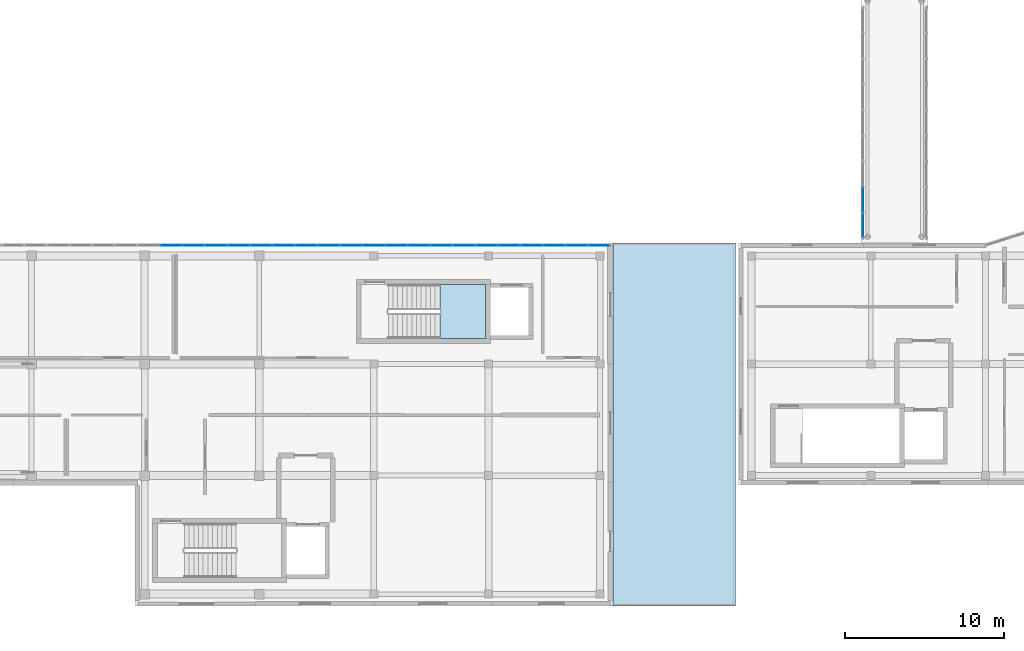
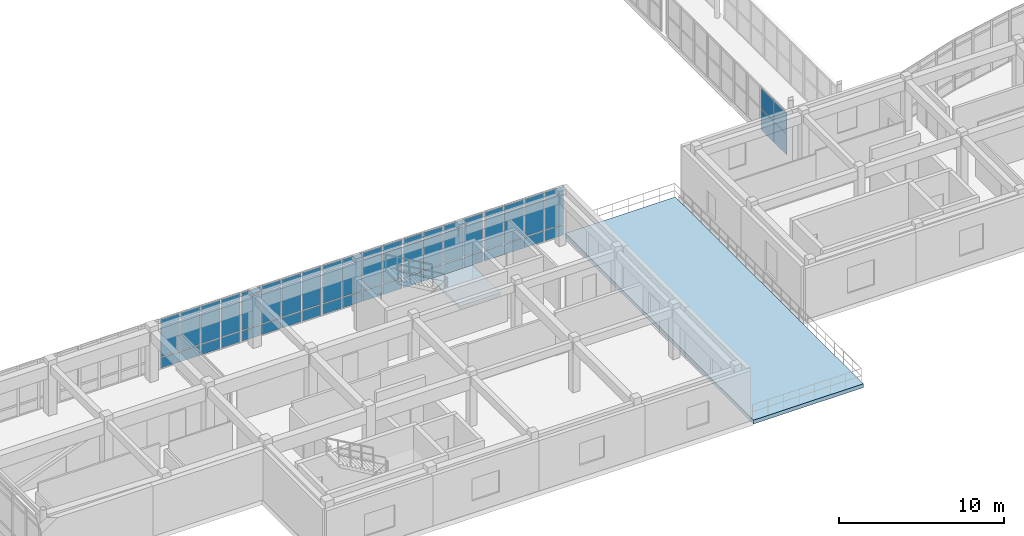
# One storey, part 36 of 52: 64 plates, 2 slabs, 7 elements without a shape of their own.
"""IFC4 building model written with IfcOpenShell, lengths in metres."""

from ifc_helpers import new_model, si_unit, direction, frame, origin, origin_2d, place, context, subcontext, project, spatial, polyline, rectangle, outline, extrude, material, layer, layer_set, type_object, element, aggregate, save


model = new_model("IFC4")

# Units and contexts
model_context = context("Model", 3, precision=1e-05, world=origin(), true_north=direction((0.0, 1.0)))
body_context = subcontext(model_context, "Body", "Model", "MODEL_VIEW")
ifc_project = project(units=[si_unit("LENGTHUNIT", "METRE"), si_unit("AREAUNIT", "SQUARE_METRE"), si_unit("VOLUMEUNIT", "CUBIC_METRE"), si_unit("PLANEANGLEUNIT", "RADIAN"), si_unit("MASSUNIT", "GRAM", prefix="KILO")], contexts=[model_context])

# Site, building, storey
site_placement = place(None, origin())
site = spatial("IfcSite", under=ifc_project, at=site_placement, CompositionType="ELEMENT")
building_placement = place(site_placement, origin())
building = spatial("IfcBuilding", under=site, at=building_placement, Name="Valcora Specialist Clinic", CompositionType="ELEMENT")
storey_placement = place(building_placement, frame((0.0, 0.0, 17.679931640625)))
storey = spatial("IfcBuildingStorey", under=building, at=storey_placement, Name="L04", CompositionType="ELEMENT", Elevation=17.679931640625)

# Curtain wall, plates
ifc_material_1 = material(Name="Anodized Bronze Aluminium 6063-T6", Category="aluminium")
ifc_layer_1 = layer(ifc_material_1, 0.175048828125)
ifc_layer_set_1 = layer_set([ifc_layer_1], Name="Anodized Bronze Aluminium 6063-T6")
curtain_wall_type_1 = type_object("IfcCurtainWallType", Name="TY-CW-V5F15", PredefinedType="NOTDEFINED", material=ifc_layer_set_1)
curtain_wall_1_placement = place(storey_placement, origin())
curtain_wall_1 = element("IfcCurtainWall", 1, at=curtain_wall_1_placement, inside=storey, type_object=curtain_wall_type_1, Name="Curtain wall CW-L04-170", PredefinedType="NOTDEFINED")
ifc_material_2 = material(Name="Low-E Laminated Insulating Glass", Category="glass")
ifc_layer_2 = layer(ifc_material_2, 0.028076171875)
ifc_layer_set_2 = layer_set([ifc_layer_2], Name="Low-E Laminated Insulating Glass")
plate_type_1 = type_object("IfcPlateType", Name="TY-CWP-GLZ28", PredefinedType="CURTAIN_PANEL", material=ifc_layer_set_2)
plate_1_placement = place(storey_placement, frame((17.861572265625, 22.64990234375, 0.882568359375), z_axis=(0.0, 0.0, 1.0), x_axis=(1.0, 0.0, 0.0)))
plate_1 = element("IfcPlate", 2, at=plate_1_placement, type_object=plate_type_1, Name="CW-V5F-15 panel 1.2", PredefinedType="CURTAIN_PANEL", context=body_context, shape_type="SweptSolid", body=[
    extrude(rectangle(XDim=1.318115234375, YDim=0.028076171875, at=origin_2d()), origin(), (0.0, 0.0, 1.0), 2.2548828125),
])
plate_2_placement = place(storey_placement, frame((17.861572265625, 22.64990234375, 3.20263671875), z_axis=(0.0, 0.0, 1.0), x_axis=(1.0, 0.0, 0.0)))
plate_2 = element("IfcPlate", 3, at=plate_2_placement, type_object=plate_type_1, Name="CW-V5F-15 panel 1.3", PredefinedType="CURTAIN_PANEL", context=body_context, shape_type="SweptSolid", body=[
    extrude(rectangle(XDim=1.318115234375, YDim=0.028076171875, at=origin_2d()), origin(), (0.0, 0.0, 1.0), 0.452392578125),
])
plate_3_placement = place(storey_placement, frame((19.260986328125, 22.64990234375, 0.882568359375), z_axis=(0.0, 0.0, 1.0), x_axis=(1.0, 0.0, 0.0)))
plate_3 = element("IfcPlate", 4, at=plate_3_placement, type_object=plate_type_1, Name="CW-V5F-15 panel 2.2", PredefinedType="CURTAIN_PANEL", context=body_context, shape_type="SweptSolid", body=[
    extrude(rectangle(XDim=1.3505859375, YDim=0.028076171875, at=origin_2d()), origin(), (0.0, 0.0, 1.0), 2.2548828125),
])
plate_4_placement = place(storey_placement, frame((19.260986328125, 22.64990234375, 3.20263671875), z_axis=(0.0, 0.0, 1.0), x_axis=(1.0, 0.0, 0.0)))
plate_4 = element("IfcPlate", 5, at=plate_4_placement, type_object=plate_type_1, Name="CW-V5F-15 panel 2.3", PredefinedType="CURTAIN_PANEL", context=body_context, shape_type="SweptSolid", body=[
    extrude(rectangle(XDim=1.3505859375, YDim=0.028076171875, at=origin_2d()), origin(), (0.0, 0.0, 1.0), 0.452392578125),
])
plate_5_placement = place(storey_placement, frame((20.676513671875, 22.64990234375, 0.882568359375), z_axis=(0.0, 0.0, 1.0), x_axis=(1.0, 0.0, 0.0)))
plate_5 = element("IfcPlate", 6, at=plate_5_placement, type_object=plate_type_1, Name="CW-V5F-15 panel 3.2", PredefinedType="CURTAIN_PANEL", context=body_context, shape_type="SweptSolid", body=[
    extrude(rectangle(XDim=1.3505859375, YDim=0.028076171875, at=origin_2d()), origin(), (0.0, 0.0, 1.0), 2.2548828125),
])
plate_6_placement = place(storey_placement, frame((20.676513671875, 22.64990234375, 3.20263671875), z_axis=(0.0, 0.0, 1.0), x_axis=(1.0, 0.0, 0.0)))
plate_6 = element("IfcPlate", 7, at=plate_6_placement, type_object=plate_type_1, Name="CW-V5F-15 panel 3.3", PredefinedType="CURTAIN_PANEL", context=body_context, shape_type="SweptSolid", body=[
    extrude(rectangle(XDim=1.3505859375, YDim=0.028076171875, at=origin_2d()), origin(), (0.0, 0.0, 1.0), 0.452392578125),
])
plate_7_placement = place(storey_placement, frame((22.075927734375, 22.64990234375, 0.882568359375), z_axis=(0.0, 0.0, 1.0), x_axis=(1.0, 0.0, 0.0)))
plate_7 = element("IfcPlate", 8, at=plate_7_placement, type_object=plate_type_1, Name="CW-V5F-15 panel 4.2", PredefinedType="CURTAIN_PANEL", context=body_context, shape_type="SweptSolid", body=[
    extrude(rectangle(XDim=1.318115234375, YDim=0.028076171875, at=origin_2d()), origin(), (0.0, 0.0, 1.0), 2.2548828125),
])
plate_8_placement = place(storey_placement, frame((22.075927734375, 22.64990234375, 3.20263671875), z_axis=(0.0, 0.0, 1.0), x_axis=(1.0, 0.0, 0.0)))
plate_8 = element("IfcPlate", 9, at=plate_8_placement, type_object=plate_type_1, Name="CW-V5F-15 panel 4.3", PredefinedType="CURTAIN_PANEL", context=body_context, shape_type="SweptSolid", body=[
    extrude(rectangle(XDim=1.318115234375, YDim=0.028076171875, at=origin_2d()), origin(), (0.0, 0.0, 1.0), 0.452392578125),
])

curtain_wall_2_placement = place(storey_placement, origin())
curtain_wall_2 = element("IfcCurtainWall", 10, at=curtain_wall_2_placement, inside=storey, type_object=curtain_wall_type_1, Name="Curtain wall CW-L04-172", PredefinedType="NOTDEFINED")
plate_9_placement = place(storey_placement, frame((29.1865234375, 22.64990234375, 0.882568359375), z_axis=(0.0, 0.0, 1.0), x_axis=(1.0, 0.0, 0.0)))
plate_9 = element("IfcPlate", 11, at=plate_9_placement, type_object=plate_type_1, Name="CW-V5F-15 panel 1.2", PredefinedType="CURTAIN_PANEL", context=body_context, shape_type="SweptSolid", body=[
    extrude(rectangle(XDim=1.318115234375, YDim=0.028076171875, at=origin_2d()), origin(), (0.0, 0.0, 1.0), 2.2548828125),
])
plate_10_placement = place(storey_placement, frame((29.1865234375, 22.64990234375, 3.20263671875), z_axis=(0.0, 0.0, 1.0), x_axis=(1.0, 0.0, 0.0)))
plate_10 = element("IfcPlate", 12, at=plate_10_placement, type_object=plate_type_1, Name="CW-V5F-15 panel 1.3", PredefinedType="CURTAIN_PANEL", context=body_context, shape_type="SweptSolid", body=[
    extrude(rectangle(XDim=1.318115234375, YDim=0.028076171875, at=origin_2d()), origin(), (0.0, 0.0, 1.0), 0.452392578125),
])
plate_11_placement = place(storey_placement, frame((30.5859375, 22.64990234375, 0.882568359375), z_axis=(0.0, 0.0, 1.0), x_axis=(1.0, 0.0, 0.0)))
plate_11 = element("IfcPlate", 13, at=plate_11_placement, type_object=plate_type_1, Name="CW-V5F-15 panel 2.2", PredefinedType="CURTAIN_PANEL", context=body_context, shape_type="SweptSolid", body=[
    extrude(rectangle(XDim=1.3505859375, YDim=0.028076171875, at=origin_2d()), origin(), (0.0, 0.0, 1.0), 2.2548828125),
])
plate_12_placement = place(storey_placement, frame((30.5859375, 22.64990234375, 3.20263671875), z_axis=(0.0, 0.0, 1.0), x_axis=(1.0, 0.0, 0.0)))
plate_12 = element("IfcPlate", 14, at=plate_12_placement, type_object=plate_type_1, Name="CW-V5F-15 panel 2.3", PredefinedType="CURTAIN_PANEL", context=body_context, shape_type="SweptSolid", body=[
    extrude(rectangle(XDim=1.3505859375, YDim=0.028076171875, at=origin_2d()), origin(), (0.0, 0.0, 1.0), 0.452392578125),
])
plate_13_placement = place(storey_placement, frame((32.00146484375, 22.64990234375, 0.882568359375), z_axis=(0.0, 0.0, 1.0), x_axis=(1.0, 0.0, 0.0)))
plate_13 = element("IfcPlate", 15, at=plate_13_placement, type_object=plate_type_1, Name="CW-V5F-15 panel 3.2", PredefinedType="CURTAIN_PANEL", context=body_context, shape_type="SweptSolid", body=[
    extrude(rectangle(XDim=1.3505859375, YDim=0.028076171875, at=origin_2d()), origin(), (0.0, 0.0, 1.0), 2.2548828125),
])
plate_14_placement = place(storey_placement, frame((32.00146484375, 22.64990234375, 3.20263671875), z_axis=(0.0, 0.0, 1.0), x_axis=(1.0, 0.0, 0.0)))
plate_14 = element("IfcPlate", 16, at=plate_14_placement, type_object=plate_type_1, Name="CW-V5F-15 panel 3.3", PredefinedType="CURTAIN_PANEL", context=body_context, shape_type="SweptSolid", body=[
    extrude(rectangle(XDim=1.3505859375, YDim=0.028076171875, at=origin_2d()), origin(), (0.0, 0.0, 1.0), 0.452392578125),
])
plate_15_placement = place(storey_placement, frame((33.40087890625, 22.64990234375, 0.882568359375), z_axis=(0.0, 0.0, 1.0), x_axis=(1.0, 0.0, 0.0)))
plate_15 = element("IfcPlate", 17, at=plate_15_placement, type_object=plate_type_1, Name="CW-V5F-15 panel 4.2", PredefinedType="CURTAIN_PANEL", context=body_context, shape_type="SweptSolid", body=[
    extrude(rectangle(XDim=1.318115234375, YDim=0.028076171875, at=origin_2d()), origin(), (0.0, 0.0, 1.0), 2.2548828125),
])
plate_16_placement = place(storey_placement, frame((33.40087890625, 22.64990234375, 3.20263671875), z_axis=(0.0, 0.0, 1.0), x_axis=(1.0, 0.0, 0.0)))
plate_16 = element("IfcPlate", 18, at=plate_16_placement, type_object=plate_type_1, Name="CW-V5F-15 panel 4.3", PredefinedType="CURTAIN_PANEL", context=body_context, shape_type="SweptSolid", body=[
    extrude(rectangle(XDim=1.318115234375, YDim=0.028076171875, at=origin_2d()), origin(), (0.0, 0.0, 1.0), 0.452392578125),
])

curtain_wall_3_placement = place(storey_placement, origin())
curtain_wall_3 = element("IfcCurtainWall", 19, at=curtain_wall_3_placement, inside=storey, type_object=curtain_wall_type_1, Name="Curtain wall CW-L04-174", PredefinedType="NOTDEFINED")
plate_17_placement = place(storey_placement, frame((40.511474609375, 22.64990234375, 0.882568359375), z_axis=(0.0, 0.0, 1.0), x_axis=(1.0, 0.0, 0.0)))
plate_17 = element("IfcPlate", 20, at=plate_17_placement, type_object=plate_type_1, Name="CW-V5F-15 panel 1.2", PredefinedType="CURTAIN_PANEL", context=body_context, shape_type="SweptSolid", body=[
    extrude(rectangle(XDim=1.318115234375, YDim=0.028076171875, at=origin_2d()), origin(), (0.0, 0.0, 1.0), 2.2548828125),
])
plate_18_placement = place(storey_placement, frame((40.511474609375, 22.64990234375, 3.20263671875), z_axis=(0.0, 0.0, 1.0), x_axis=(1.0, 0.0, 0.0)))
plate_18 = element("IfcPlate", 21, at=plate_18_placement, type_object=plate_type_1, Name="CW-V5F-15 panel 1.3", PredefinedType="CURTAIN_PANEL", context=body_context, shape_type="SweptSolid", body=[
    extrude(rectangle(XDim=1.318115234375, YDim=0.028076171875, at=origin_2d()), origin(), (0.0, 0.0, 1.0), 0.452392578125),
])
plate_19_placement = place(storey_placement, frame((41.910888671875, 22.64990234375, 0.882568359375), z_axis=(0.0, 0.0, 1.0), x_axis=(1.0, 0.0, 0.0)))
plate_19 = element("IfcPlate", 22, at=plate_19_placement, type_object=plate_type_1, Name="CW-V5F-15 panel 2.2", PredefinedType="CURTAIN_PANEL", context=body_context, shape_type="SweptSolid", body=[
    extrude(rectangle(XDim=1.3505859375, YDim=0.028076171875, at=origin_2d()), origin(), (0.0, 0.0, 1.0), 2.2548828125),
])
plate_20_placement = place(storey_placement, frame((41.910888671875, 22.64990234375, 3.20263671875), z_axis=(0.0, 0.0, 1.0), x_axis=(1.0, 0.0, 0.0)))
plate_20 = element("IfcPlate", 23, at=plate_20_placement, type_object=plate_type_1, Name="CW-V5F-15 panel 2.3", PredefinedType="CURTAIN_PANEL", context=body_context, shape_type="SweptSolid", body=[
    extrude(rectangle(XDim=1.3505859375, YDim=0.028076171875, at=origin_2d()), origin(), (0.0, 0.0, 1.0), 0.452392578125),
])
plate_21_placement = place(storey_placement, frame((43.32666015625, 22.64990234375, 0.882568359375), z_axis=(0.0, 0.0, 1.0), x_axis=(1.0, 0.0, 0.0)))
plate_21 = element("IfcPlate", 24, at=plate_21_placement, type_object=plate_type_1, Name="CW-V5F-15 panel 3.2", PredefinedType="CURTAIN_PANEL", context=body_context, shape_type="SweptSolid", body=[
    extrude(rectangle(XDim=1.3505859375, YDim=0.028076171875, at=origin_2d()), origin(), (0.0, 0.0, 1.0), 2.2548828125),
])
plate_22_placement = place(storey_placement, frame((43.32666015625, 22.64990234375, 3.20263671875), z_axis=(0.0, 0.0, 1.0), x_axis=(1.0, 0.0, 0.0)))
plate_22 = element("IfcPlate", 25, at=plate_22_placement, type_object=plate_type_1, Name="CW-V5F-15 panel 3.3", PredefinedType="CURTAIN_PANEL", context=body_context, shape_type="SweptSolid", body=[
    extrude(rectangle(XDim=1.3505859375, YDim=0.028076171875, at=origin_2d()), origin(), (0.0, 0.0, 1.0), 0.452392578125),
])
plate_23_placement = place(storey_placement, frame((44.725830078125, 22.64990234375, 0.882568359375), z_axis=(0.0, 0.0, 1.0), x_axis=(1.0, 0.0, 0.0)))
plate_23 = element("IfcPlate", 26, at=plate_23_placement, type_object=plate_type_1, Name="CW-V5F-15 panel 4.2", PredefinedType="CURTAIN_PANEL", context=body_context, shape_type="SweptSolid", body=[
    extrude(rectangle(XDim=1.318115234375, YDim=0.028076171875, at=origin_2d()), origin(), (0.0, 0.0, 1.0), 2.2548828125),
])
plate_24_placement = place(storey_placement, frame((44.725830078125, 22.64990234375, 3.20263671875), z_axis=(0.0, 0.0, 1.0), x_axis=(1.0, 0.0, 0.0)))
plate_24 = element("IfcPlate", 27, at=plate_24_placement, type_object=plate_type_1, Name="CW-V5F-15 panel 4.3", PredefinedType="CURTAIN_PANEL", context=body_context, shape_type="SweptSolid", body=[
    extrude(rectangle(XDim=1.318115234375, YDim=0.028076171875, at=origin_2d()), origin(), (0.0, 0.0, 1.0), 0.452392578125),
])

curtain_wall_4_placement = place(storey_placement, origin())
curtain_wall_4 = element("IfcCurtainWall", 28, at=curtain_wall_4_placement, inside=storey, type_object=curtain_wall_type_1, Name="Curtain wall CW-L04-171", PredefinedType="NOTDEFINED")
ifc_layer_3 = layer(ifc_material_2, 0.033935546875)
ifc_layer_set_3 = layer_set([ifc_layer_3], Name="Low-E Laminated Insulating Glass")
plate_type_2 = type_object("IfcPlateType", Name="TY-CWP-GLZ34", PredefinedType="CURTAIN_PANEL", material=ifc_layer_set_3)
plate_25_placement = place(storey_placement, frame((23.524169921875, 22.64990234375, 0.882568359375), z_axis=(0.0, 0.0, 1.0), x_axis=(1.0, 0.0, 0.0)))
plate_25 = element("IfcPlate", 29, at=plate_25_placement, type_object=plate_type_2, Name="CW-V5F-15 panel 1.2", PredefinedType="CURTAIN_PANEL", context=body_context, shape_type="SweptSolid", body=[
    extrude(rectangle(XDim=1.318115234375, YDim=0.033935546875, at=origin_2d()), origin(), (0.0, 0.0, 1.0), 2.2548828125),
])
plate_26_placement = place(storey_placement, frame((23.524169921875, 22.64990234375, 3.20263671875), z_axis=(0.0, 0.0, 1.0), x_axis=(1.0, 0.0, 0.0)))
plate_26 = element("IfcPlate", 30, at=plate_26_placement, type_object=plate_type_2, Name="CW-V5F-15 panel 1.3", PredefinedType="CURTAIN_PANEL", context=body_context, shape_type="SweptSolid", body=[
    extrude(rectangle(XDim=1.318115234375, YDim=0.033935546875, at=origin_2d()), origin(), (0.0, 0.0, 1.0), 0.452392578125),
])
plate_27_placement = place(storey_placement, frame((24.92333984375, 22.64990234375, 0.882568359375), z_axis=(0.0, 0.0, 1.0), x_axis=(1.0, 0.0, 0.0)))
plate_27 = element("IfcPlate", 31, at=plate_27_placement, type_object=plate_type_2, Name="CW-V5F-15 panel 2.2", PredefinedType="CURTAIN_PANEL", context=body_context, shape_type="SweptSolid", body=[
    extrude(rectangle(XDim=1.3505859375, YDim=0.033935546875, at=origin_2d()), origin(), (0.0, 0.0, 1.0), 2.2548828125),
])
plate_28_placement = place(storey_placement, frame((24.92333984375, 22.64990234375, 3.20263671875), z_axis=(0.0, 0.0, 1.0), x_axis=(1.0, 0.0, 0.0)))
plate_28 = element("IfcPlate", 32, at=plate_28_placement, type_object=plate_type_2, Name="CW-V5F-15 panel 2.3", PredefinedType="CURTAIN_PANEL", context=body_context, shape_type="SweptSolid", body=[
    extrude(rectangle(XDim=1.3505859375, YDim=0.033935546875, at=origin_2d()), origin(), (0.0, 0.0, 1.0), 0.452392578125),
])
plate_29_placement = place(storey_placement, frame((26.339111328125, 22.64990234375, 0.882568359375), z_axis=(0.0, 0.0, 1.0), x_axis=(1.0, 0.0, 0.0)))
plate_29 = element("IfcPlate", 33, at=plate_29_placement, type_object=plate_type_2, Name="CW-V5F-15 panel 3.2", PredefinedType="CURTAIN_PANEL", context=body_context, shape_type="SweptSolid", body=[
    extrude(rectangle(XDim=1.3505859375, YDim=0.033935546875, at=origin_2d()), origin(), (0.0, 0.0, 1.0), 2.2548828125),
])
plate_30_placement = place(storey_placement, frame((26.339111328125, 22.64990234375, 3.20263671875), z_axis=(0.0, 0.0, 1.0), x_axis=(1.0, 0.0, 0.0)))
plate_30 = element("IfcPlate", 34, at=plate_30_placement, type_object=plate_type_2, Name="CW-V5F-15 panel 3.3", PredefinedType="CURTAIN_PANEL", context=body_context, shape_type="SweptSolid", body=[
    extrude(rectangle(XDim=1.3505859375, YDim=0.033935546875, at=origin_2d()), origin(), (0.0, 0.0, 1.0), 0.452392578125),
])
plate_31_placement = place(storey_placement, frame((27.738525390625, 22.64990234375, 0.882568359375), z_axis=(0.0, 0.0, 1.0), x_axis=(1.0, 0.0, 0.0)))
plate_31 = element("IfcPlate", 35, at=plate_31_placement, type_object=plate_type_2, Name="CW-V5F-15 panel 4.2", PredefinedType="CURTAIN_PANEL", context=body_context, shape_type="SweptSolid", body=[
    extrude(rectangle(XDim=1.318115234375, YDim=0.033935546875, at=origin_2d()), origin(), (0.0, 0.0, 1.0), 2.2548828125),
])
plate_32_placement = place(storey_placement, frame((27.738525390625, 22.64990234375, 3.20263671875), z_axis=(0.0, 0.0, 1.0), x_axis=(1.0, 0.0, 0.0)))
plate_32 = element("IfcPlate", 36, at=plate_32_placement, type_object=plate_type_2, Name="CW-V5F-15 panel 4.3", PredefinedType="CURTAIN_PANEL", context=body_context, shape_type="SweptSolid", body=[
    extrude(rectangle(XDim=1.318115234375, YDim=0.033935546875, at=origin_2d()), origin(), (0.0, 0.0, 1.0), 0.452392578125),
])

curtain_wall_5_placement = place(storey_placement, origin())
curtain_wall_5 = element("IfcCurtainWall", 37, at=curtain_wall_5_placement, inside=storey, type_object=curtain_wall_type_1, Name="Curtain wall CW-L04-173", PredefinedType="NOTDEFINED")
plate_33_placement = place(storey_placement, frame((34.84912109375, 22.64990234375, 0.882568359375), z_axis=(0.0, 0.0, 1.0), x_axis=(1.0, 0.0, 0.0)))
plate_33 = element("IfcPlate", 38, at=plate_33_placement, type_object=plate_type_2, Name="CW-V5F-15 panel 1.2", PredefinedType="CURTAIN_PANEL", context=body_context, shape_type="SweptSolid", body=[
    extrude(rectangle(XDim=1.318115234375, YDim=0.033935546875, at=origin_2d()), origin(), (0.0, 0.0, 1.0), 2.2548828125),
])
plate_34_placement = place(storey_placement, frame((34.84912109375, 22.64990234375, 3.20263671875), z_axis=(0.0, 0.0, 1.0), x_axis=(1.0, 0.0, 0.0)))
plate_34 = element("IfcPlate", 39, at=plate_34_placement, type_object=plate_type_2, Name="CW-V5F-15 panel 1.3", PredefinedType="CURTAIN_PANEL", context=body_context, shape_type="SweptSolid", body=[
    extrude(rectangle(XDim=1.318115234375, YDim=0.033935546875, at=origin_2d()), origin(), (0.0, 0.0, 1.0), 0.452392578125),
])
plate_35_placement = place(storey_placement, frame((36.24853515625, 22.64990234375, 0.882568359375), z_axis=(0.0, 0.0, 1.0), x_axis=(1.0, 0.0, 0.0)))
plate_35 = element("IfcPlate", 40, at=plate_35_placement, type_object=plate_type_2, Name="CW-V5F-15 panel 2.2", PredefinedType="CURTAIN_PANEL", context=body_context, shape_type="SweptSolid", body=[
    extrude(rectangle(XDim=1.3505859375, YDim=0.033935546875, at=origin_2d()), origin(), (0.0, 0.0, 1.0), 2.2548828125),
])
plate_36_placement = place(storey_placement, frame((36.24853515625, 22.64990234375, 3.20263671875), z_axis=(0.0, 0.0, 1.0), x_axis=(1.0, 0.0, 0.0)))
plate_36 = element("IfcPlate", 41, at=plate_36_placement, type_object=plate_type_2, Name="CW-V5F-15 panel 2.3", PredefinedType="CURTAIN_PANEL", context=body_context, shape_type="SweptSolid", body=[
    extrude(rectangle(XDim=1.3505859375, YDim=0.033935546875, at=origin_2d()), origin(), (0.0, 0.0, 1.0), 0.452392578125),
])
plate_37_placement = place(storey_placement, frame((37.6640625, 22.64990234375, 0.882568359375), z_axis=(0.0, 0.0, 1.0), x_axis=(1.0, 0.0, 0.0)))
plate_37 = element("IfcPlate", 42, at=plate_37_placement, type_object=plate_type_2, Name="CW-V5F-15 panel 3.2", PredefinedType="CURTAIN_PANEL", context=body_context, shape_type="SweptSolid", body=[
    extrude(rectangle(XDim=1.3505859375, YDim=0.033935546875, at=origin_2d()), origin(), (0.0, 0.0, 1.0), 2.2548828125),
])
plate_38_placement = place(storey_placement, frame((37.6640625, 22.64990234375, 3.20263671875), z_axis=(0.0, 0.0, 1.0), x_axis=(1.0, 0.0, 0.0)))
plate_38 = element("IfcPlate", 43, at=plate_38_placement, type_object=plate_type_2, Name="CW-V5F-15 panel 3.3", PredefinedType="CURTAIN_PANEL", context=body_context, shape_type="SweptSolid", body=[
    extrude(rectangle(XDim=1.3505859375, YDim=0.033935546875, at=origin_2d()), origin(), (0.0, 0.0, 1.0), 0.452392578125),
])
plate_39_placement = place(storey_placement, frame((39.0634765625, 22.64990234375, 0.882568359375), z_axis=(0.0, 0.0, 1.0), x_axis=(1.0, 0.0, 0.0)))
plate_39 = element("IfcPlate", 44, at=plate_39_placement, type_object=plate_type_2, Name="CW-V5F-15 panel 4.2", PredefinedType="CURTAIN_PANEL", context=body_context, shape_type="SweptSolid", body=[
    extrude(rectangle(XDim=1.318115234375, YDim=0.033935546875, at=origin_2d()), origin(), (0.0, 0.0, 1.0), 2.2548828125),
])
plate_40_placement = place(storey_placement, frame((39.0634765625, 22.64990234375, 3.20263671875), z_axis=(0.0, 0.0, 1.0), x_axis=(1.0, 0.0, 0.0)))
plate_40 = element("IfcPlate", 45, at=plate_40_placement, type_object=plate_type_2, Name="CW-V5F-15 panel 4.3", PredefinedType="CURTAIN_PANEL", context=body_context, shape_type="SweptSolid", body=[
    extrude(rectangle(XDim=1.318115234375, YDim=0.033935546875, at=origin_2d()), origin(), (0.0, 0.0, 1.0), 0.452392578125),
])

ifc_layer_4 = layer(ifc_material_1, 0.175048828125)
ifc_layer_set_4 = layer_set([ifc_layer_4], Name="Anodized Bronze Aluminium 6063-T6")
curtain_wall_type_2 = type_object("IfcCurtainWallType", Name="TY-CW-BRG14", PredefinedType="NOTDEFINED", material=ifc_layer_set_4)
curtain_wall_6_placement = place(storey_placement, origin())
curtain_wall_6 = element("IfcCurtainWall", 46, at=curtain_wall_6_placement, inside=storey, type_object=curtain_wall_type_2, Name="Curtain wall CW-L04-267", PredefinedType="NOTDEFINED")
plate_41_placement = place(storey_placement, frame((61.320068359375, 23.921875, 0.065185546875), z_axis=(0.0, 0.0, 1.0), x_axis=(0.0, 1.0, 0.0)))
plate_41 = element("IfcPlate", 47, at=plate_41_placement, type_object=plate_type_2, Name="CW-BRG-14 panel 1.1", PredefinedType="CURTAIN_PANEL", context=body_context, shape_type="SweptSolid", body=[
    extrude(rectangle(XDim=1.513671875, YDim=0.033935546875, at=origin_2d()), origin(), (0.0, 0.0, 1.0), 1.5224609375),
])
plate_42_placement = place(storey_placement, frame((61.320068359375, 23.921875, 1.652587890625), z_axis=(0.0, 0.0, 1.0), x_axis=(0.0, 1.0, 0.0)))
plate_42 = element("IfcPlate", 48, at=plate_42_placement, type_object=plate_type_2, Name="CW-BRG-14 panel 1.2", PredefinedType="CURTAIN_PANEL", context=body_context, shape_type="SweptSolid", body=[
    extrude(rectangle(XDim=1.513671875, YDim=0.033935546875, at=origin_2d()), origin(), (0.0, 0.0, 1.0), 1.5224609375),
])
plate_43_placement = place(storey_placement, frame((61.320068359375, 25.5166015625, 0.065185546875), z_axis=(0.0, 0.0, 1.0), x_axis=(0.0, 1.0, 0.0)))
plate_43 = element("IfcPlate", 49, at=plate_43_placement, type_object=plate_type_2, Name="CW-BRG-14 panel 2.1", PredefinedType="CURTAIN_PANEL", context=body_context, shape_type="SweptSolid", body=[
    extrude(rectangle(XDim=1.546142578125, YDim=0.033935546875, at=origin_2d()), origin(), (0.0, 0.0, 1.0), 1.5224609375),
])
plate_44_placement = place(storey_placement, frame((61.320068359375, 25.5166015625, 1.652587890625), z_axis=(0.0, 0.0, 1.0), x_axis=(0.0, 1.0, 0.0)))
plate_44 = element("IfcPlate", 50, at=plate_44_placement, type_object=plate_type_2, Name="CW-BRG-14 panel 2.2", PredefinedType="CURTAIN_PANEL", context=body_context, shape_type="SweptSolid", body=[
    extrude(rectangle(XDim=1.546142578125, YDim=0.033935546875, at=origin_2d()), origin(), (0.0, 0.0, 1.0), 1.5224609375),
])
aggregate(curtain_wall_6, [plate_41, plate_42, plate_43, plate_44])

# Plate
ifc_material_3 = material(Name="Insulated Spandrel Panel")
ifc_layer_5 = layer(ifc_material_3, 0.044921875)
ifc_layer_set_5 = layer_set([ifc_layer_5], Name="Insulated Spandrel Panel")
plate_type_3 = type_object("IfcPlateType", Name="TY-CWP-SPN45", PredefinedType="SHEET", material=ifc_layer_set_5)
plate_45_placement = place(storey_placement, frame((17.861572265625, 22.64990234375, 0.065185546875), z_axis=(0.0, 0.0, 1.0), x_axis=(1.0, 0.0, 0.0)))
plate_45 = element("IfcPlate", 51, at=plate_45_placement, type_object=plate_type_3, Name="CW-V5F-15 panel 1.1", PredefinedType="SHEET", context=body_context, shape_type="SweptSolid", body=[
    extrude(rectangle(XDim=1.318115234375, YDim=0.044921875, at=origin_2d()), origin(), (0.0, 0.0, 1.0), 0.75244140625),
])

plate_46_placement = place(storey_placement, frame((19.260986328125, 22.64990234375, 0.065185546875), z_axis=(0.0, 0.0, 1.0), x_axis=(1.0, 0.0, 0.0)))
plate_46 = element("IfcPlate", 52, at=plate_46_placement, type_object=plate_type_3, Name="CW-V5F-15 panel 2.1", PredefinedType="SHEET", context=body_context, shape_type="SweptSolid", body=[
    extrude(rectangle(XDim=1.3505859375, YDim=0.044921875, at=origin_2d()), origin(), (0.0, 0.0, 1.0), 0.75244140625),
])

plate_47_placement = place(storey_placement, frame((20.676513671875, 22.64990234375, 0.065185546875), z_axis=(0.0, 0.0, 1.0), x_axis=(1.0, 0.0, 0.0)))
plate_47 = element("IfcPlate", 53, at=plate_47_placement, type_object=plate_type_3, Name="CW-V5F-15 panel 3.1", PredefinedType="SHEET", context=body_context, shape_type="SweptSolid", body=[
    extrude(rectangle(XDim=1.3505859375, YDim=0.044921875, at=origin_2d()), origin(), (0.0, 0.0, 1.0), 0.75244140625),
])

plate_48_placement = place(storey_placement, frame((22.075927734375, 22.64990234375, 0.065185546875), z_axis=(0.0, 0.0, 1.0), x_axis=(1.0, 0.0, 0.0)))
plate_48 = element("IfcPlate", 54, at=plate_48_placement, type_object=plate_type_3, Name="CW-V5F-15 panel 4.1", PredefinedType="SHEET", context=body_context, shape_type="SweptSolid", body=[
    extrude(rectangle(XDim=1.318115234375, YDim=0.044921875, at=origin_2d()), origin(), (0.0, 0.0, 1.0), 0.75244140625),
])

aggregate(curtain_wall_1, [plate_45, plate_1, plate_2, plate_46, plate_3, plate_4, plate_47, plate_5, plate_6, plate_48, plate_7, plate_8])

plate_49_placement = place(storey_placement, frame((23.524169921875, 22.64990234375, 0.065185546875), z_axis=(0.0, 0.0, 1.0), x_axis=(1.0, 0.0, 0.0)))
plate_49 = element("IfcPlate", 55, at=plate_49_placement, type_object=plate_type_3, Name="CW-V5F-15 panel 1.1", PredefinedType="SHEET", context=body_context, shape_type="SweptSolid", body=[
    extrude(rectangle(XDim=1.318115234375, YDim=0.044921875, at=origin_2d()), origin(), (0.0, 0.0, 1.0), 0.75244140625),
])

plate_50_placement = place(storey_placement, frame((24.92333984375, 22.64990234375, 0.065185546875), z_axis=(0.0, 0.0, 1.0), x_axis=(1.0, 0.0, 0.0)))
plate_50 = element("IfcPlate", 56, at=plate_50_placement, type_object=plate_type_3, Name="CW-V5F-15 panel 2.1", PredefinedType="SHEET", context=body_context, shape_type="SweptSolid", body=[
    extrude(rectangle(XDim=1.3505859375, YDim=0.044921875, at=origin_2d()), origin(), (0.0, 0.0, 1.0), 0.75244140625),
])

plate_51_placement = place(storey_placement, frame((26.339111328125, 22.64990234375, 0.065185546875), z_axis=(0.0, 0.0, 1.0), x_axis=(1.0, 0.0, 0.0)))
plate_51 = element("IfcPlate", 57, at=plate_51_placement, type_object=plate_type_3, Name="CW-V5F-15 panel 3.1", PredefinedType="SHEET", context=body_context, shape_type="SweptSolid", body=[
    extrude(rectangle(XDim=1.3505859375, YDim=0.044921875, at=origin_2d()), origin(), (0.0, 0.0, 1.0), 0.75244140625),
])

plate_52_placement = place(storey_placement, frame((27.738525390625, 22.64990234375, 0.065185546875), z_axis=(0.0, 0.0, 1.0), x_axis=(1.0, 0.0, 0.0)))
plate_52 = element("IfcPlate", 58, at=plate_52_placement, type_object=plate_type_3, Name="CW-V5F-15 panel 4.1", PredefinedType="SHEET", context=body_context, shape_type="SweptSolid", body=[
    extrude(rectangle(XDim=1.318115234375, YDim=0.044921875, at=origin_2d()), origin(), (0.0, 0.0, 1.0), 0.75244140625),
])

aggregate(curtain_wall_4, [plate_49, plate_25, plate_26, plate_50, plate_27, plate_28, plate_51, plate_29, plate_30, plate_52, plate_31, plate_32])

plate_53_placement = place(storey_placement, frame((29.1865234375, 22.64990234375, 0.065185546875), z_axis=(0.0, 0.0, 1.0), x_axis=(1.0, 0.0, 0.0)))
plate_53 = element("IfcPlate", 59, at=plate_53_placement, type_object=plate_type_3, Name="CW-V5F-15 panel 1.1", PredefinedType="SHEET", context=body_context, shape_type="SweptSolid", body=[
    extrude(rectangle(XDim=1.318115234375, YDim=0.044921875, at=origin_2d()), origin(), (0.0, 0.0, 1.0), 0.75244140625),
])

plate_54_placement = place(storey_placement, frame((30.5859375, 22.64990234375, 0.065185546875), z_axis=(0.0, 0.0, 1.0), x_axis=(1.0, 0.0, 0.0)))
plate_54 = element("IfcPlate", 60, at=plate_54_placement, type_object=plate_type_3, Name="CW-V5F-15 panel 2.1", PredefinedType="SHEET", context=body_context, shape_type="SweptSolid", body=[
    extrude(rectangle(XDim=1.3505859375, YDim=0.044921875, at=origin_2d()), origin(), (0.0, 0.0, 1.0), 0.75244140625),
])

plate_55_placement = place(storey_placement, frame((32.00146484375, 22.64990234375, 0.065185546875), z_axis=(0.0, 0.0, 1.0), x_axis=(1.0, 0.0, 0.0)))
plate_55 = element("IfcPlate", 61, at=plate_55_placement, type_object=plate_type_3, Name="CW-V5F-15 panel 3.1", PredefinedType="SHEET", context=body_context, shape_type="SweptSolid", body=[
    extrude(rectangle(XDim=1.3505859375, YDim=0.044921875, at=origin_2d()), origin(), (0.0, 0.0, 1.0), 0.75244140625),
])

plate_56_placement = place(storey_placement, frame((33.40087890625, 22.64990234375, 0.065185546875), z_axis=(0.0, 0.0, 1.0), x_axis=(1.0, 0.0, 0.0)))
plate_56 = element("IfcPlate", 62, at=plate_56_placement, type_object=plate_type_3, Name="CW-V5F-15 panel 4.1", PredefinedType="SHEET", context=body_context, shape_type="SweptSolid", body=[
    extrude(rectangle(XDim=1.318115234375, YDim=0.044921875, at=origin_2d()), origin(), (0.0, 0.0, 1.0), 0.75244140625),
])

aggregate(curtain_wall_2, [plate_53, plate_9, plate_10, plate_54, plate_11, plate_12, plate_55, plate_13, plate_14, plate_56, plate_15, plate_16])

plate_57_placement = place(storey_placement, frame((34.84912109375, 22.64990234375, 0.065185546875), z_axis=(0.0, 0.0, 1.0), x_axis=(1.0, 0.0, 0.0)))
plate_57 = element("IfcPlate", 63, at=plate_57_placement, type_object=plate_type_3, Name="CW-V5F-15 panel 1.1", PredefinedType="SHEET", context=body_context, shape_type="SweptSolid", body=[
    extrude(rectangle(XDim=1.318115234375, YDim=0.044921875, at=origin_2d()), origin(), (0.0, 0.0, 1.0), 0.75244140625),
])

plate_58_placement = place(storey_placement, frame((36.24853515625, 22.64990234375, 0.065185546875), z_axis=(0.0, 0.0, 1.0), x_axis=(1.0, 0.0, 0.0)))
plate_58 = element("IfcPlate", 64, at=plate_58_placement, type_object=plate_type_3, Name="CW-V5F-15 panel 2.1", PredefinedType="SHEET", context=body_context, shape_type="SweptSolid", body=[
    extrude(rectangle(XDim=1.3505859375, YDim=0.044921875, at=origin_2d()), origin(), (0.0, 0.0, 1.0), 0.75244140625),
])

plate_59_placement = place(storey_placement, frame((37.6640625, 22.64990234375, 0.065185546875), z_axis=(0.0, 0.0, 1.0), x_axis=(1.0, 0.0, 0.0)))
plate_59 = element("IfcPlate", 65, at=plate_59_placement, type_object=plate_type_3, Name="CW-V5F-15 panel 3.1", PredefinedType="SHEET", context=body_context, shape_type="SweptSolid", body=[
    extrude(rectangle(XDim=1.3505859375, YDim=0.044921875, at=origin_2d()), origin(), (0.0, 0.0, 1.0), 0.75244140625),
])

plate_60_placement = place(storey_placement, frame((39.0634765625, 22.64990234375, 0.065185546875), z_axis=(0.0, 0.0, 1.0), x_axis=(1.0, 0.0, 0.0)))
plate_60 = element("IfcPlate", 66, at=plate_60_placement, type_object=plate_type_3, Name="CW-V5F-15 panel 4.1", PredefinedType="SHEET", context=body_context, shape_type="SweptSolid", body=[
    extrude(rectangle(XDim=1.318115234375, YDim=0.044921875, at=origin_2d()), origin(), (0.0, 0.0, 1.0), 0.75244140625),
])

aggregate(curtain_wall_5, [plate_57, plate_33, plate_34, plate_58, plate_35, plate_36, plate_59, plate_37, plate_38, plate_60, plate_39, plate_40])

plate_61_placement = place(storey_placement, frame((40.511474609375, 22.64990234375, 0.065185546875), z_axis=(0.0, 0.0, 1.0), x_axis=(1.0, 0.0, 0.0)))
plate_61 = element("IfcPlate", 67, at=plate_61_placement, type_object=plate_type_3, Name="CW-V5F-15 panel 1.1", PredefinedType="SHEET", context=body_context, shape_type="SweptSolid", body=[
    extrude(rectangle(XDim=1.318115234375, YDim=0.044921875, at=origin_2d()), origin(), (0.0, 0.0, 1.0), 0.75244140625),
])

plate_62_placement = place(storey_placement, frame((41.910888671875, 22.64990234375, 0.065185546875), z_axis=(0.0, 0.0, 1.0), x_axis=(1.0, 0.0, 0.0)))
plate_62 = element("IfcPlate", 68, at=plate_62_placement, type_object=plate_type_3, Name="CW-V5F-15 panel 2.1", PredefinedType="SHEET", context=body_context, shape_type="SweptSolid", body=[
    extrude(rectangle(XDim=1.3505859375, YDim=0.044921875, at=origin_2d()), origin(), (0.0, 0.0, 1.0), 0.75244140625),
])

plate_63_placement = place(storey_placement, frame((43.32666015625, 22.64990234375, 0.065185546875), z_axis=(0.0, 0.0, 1.0), x_axis=(1.0, 0.0, 0.0)))
plate_63 = element("IfcPlate", 69, at=plate_63_placement, type_object=plate_type_3, Name="CW-V5F-15 panel 3.1", PredefinedType="SHEET", context=body_context, shape_type="SweptSolid", body=[
    extrude(rectangle(XDim=1.3505859375, YDim=0.044921875, at=origin_2d()), origin(), (0.0, 0.0, 1.0), 0.75244140625),
])

plate_64_placement = place(storey_placement, frame((44.725830078125, 22.64990234375, 0.065185546875), z_axis=(0.0, 0.0, 1.0), x_axis=(1.0, 0.0, 0.0)))
plate_64 = element("IfcPlate", 70, at=plate_64_placement, type_object=plate_type_3, Name="CW-V5F-15 panel 4.1", PredefinedType="SHEET", context=body_context, shape_type="SweptSolid", body=[
    extrude(rectangle(XDim=1.318115234375, YDim=0.044921875, at=origin_2d()), origin(), (0.0, 0.0, 1.0), 0.75244140625),
])

aggregate(curtain_wall_3, [plate_61, plate_17, plate_18, plate_62, plate_19, plate_20, plate_63, plate_21, plate_22, plate_64, plate_23, plate_24])

# Stair, slab
ifc_material_4 = material(Name="Concrete C40/50", Category="concrete")
stair_type = type_object("IfcStairType", Name="TY-ST-DG408", PredefinedType="HALF_TURN_STAIR", material=ifc_material_4)
stair_placement = place(storey_placement, origin())
stair = element("IfcStair", 71, at=stair_placement, inside=storey, type_object=stair_type, Name="L04 Core C-V5B stair ST-V5B", PredefinedType="HALF_TURN_STAIR")
ifc_layer_6 = layer(ifc_material_4, 0.199951171875)
ifc_layer_set_6 = layer_set([ifc_layer_6], Name="Concrete C40/50")
slab_type_1 = type_object("IfcSlabType", Name="TY-SL-LND200", PredefinedType="LANDING", material=ifc_layer_set_6)
slab_1_placement = place(storey_placement, frame((0.0, 0.0, 1.840087890625)))
slab_1 = element("IfcSlab", 72, at=slab_1_placement, type_object=slab_type_1, Name="ST-V5B landing 1", PredefinedType="LANDING", context=body_context, shape_type="SweptSolid", body=[
    extrude(outline(polyline([(34.7451171875, 16.800048828125), (37.60009765625, 16.800048828125), (37.60009765625, 20.199951171875), (34.7451171875, 20.199951171875), (34.7451171875, 16.800048828125)])), origin(), (0.0, 0.0, 1.0), 0.199951171875),
])
aggregate(stair, [slab_1])

# Slab
ifc_layer_7 = layer(ifc_material_4, 0.284912109375)
ifc_layer_set_7 = layer_set([ifc_layer_7], Name="Concrete C40/50")
slab_type_2 = type_object("IfcSlabType", Name="TY-SL-TER285", PredefinedType="FLOOR", material=ifc_layer_set_7)
slab_2_placement = place(storey_placement, frame((0.0, 0.0, -0.284912109375)))
element("IfcSlab", 73, at=slab_2_placement, inside=storey, type_object=slab_type_2, Name="V5 L04 East recovery terrace SL-L04-075", PredefinedType="FLOOR", context=body_context, shape_type="SweptSolid", body=[
    extrude(outline(polyline([(45.60009765625, 0.0), (53.300048828125, 0.0), (53.300048828125, 22.800048828125), (45.60009765625, 22.800048828125), (45.60009765625, 0.0)])), origin(), (0.0, 0.0, 1.0), 0.284912109375),
])

save(model, "model.ifc")
